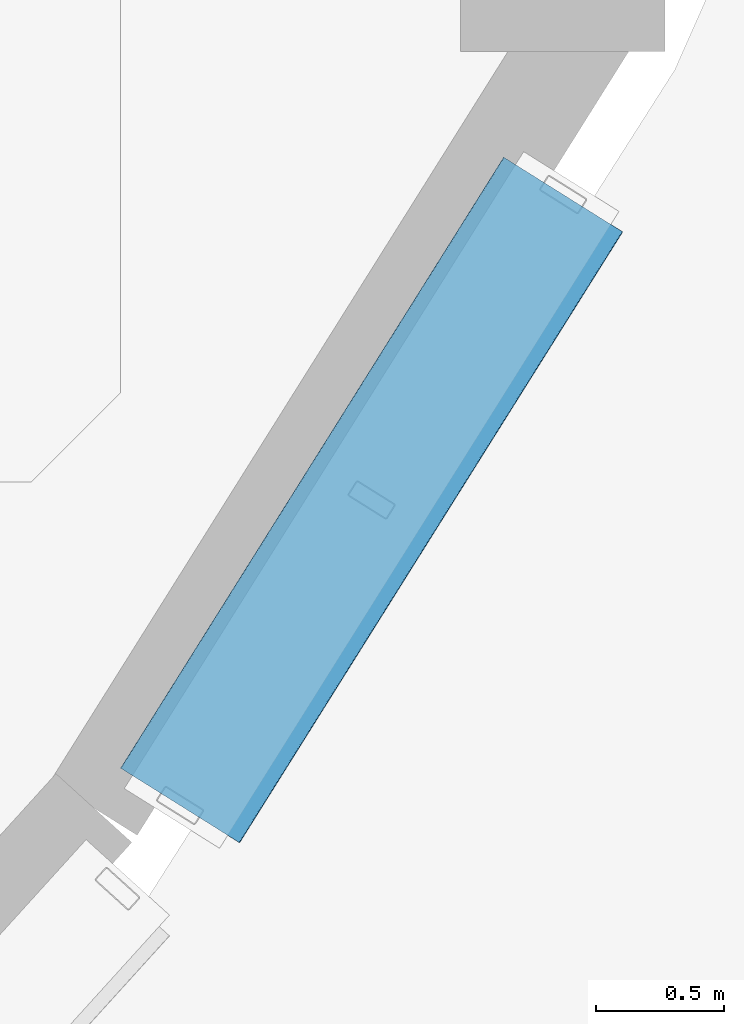
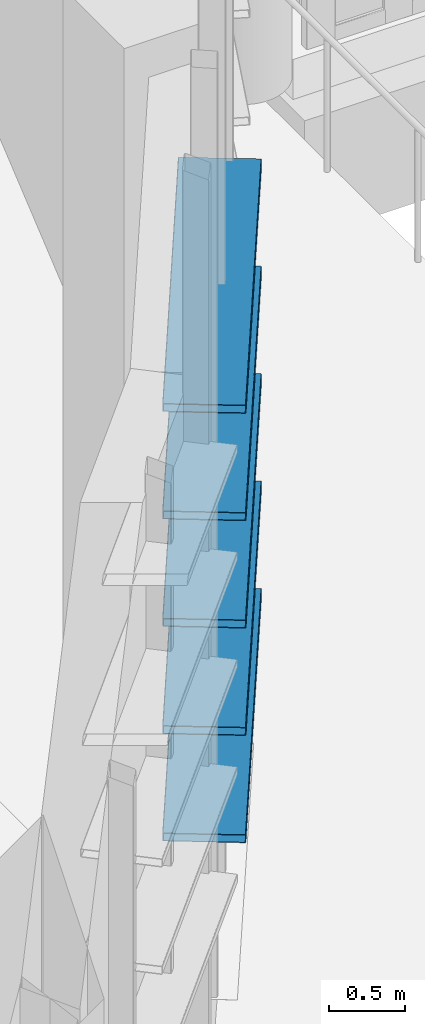
# One storey, part 61 of 372: 5 members.
"""IFC4 building model written with IfcOpenShell, lengths in metres."""

from ifc_helpers import new_model, si_unit, direction, frame, origin, origin_2d, place, context, subcontext, project, spatial, hollow_rectangle, extrude, material, material_profile, profile_set, type_object, element, save


model = new_model("IFC4")

# Units and contexts
model_context = context("Model", 3, precision=1e-05, world=origin(), true_north=direction((0.0, 1.0)))
body_context = subcontext(model_context, "Body", "Model", "MODEL_VIEW")
ifc_project = project(units=[si_unit("LENGTHUNIT", "METRE"), si_unit("AREAUNIT", "SQUARE_METRE"), si_unit("VOLUMEUNIT", "CUBIC_METRE"), si_unit("PLANEANGLEUNIT", "RADIAN"), si_unit("MASSUNIT", "GRAM", prefix="KILO")], contexts=[model_context])

# Site, building, storey
site_placement = place(None, origin())
site = spatial("IfcSite", under=ifc_project, at=site_placement, CompositionType="ELEMENT")
building_placement = place(site_placement, origin())
building = spatial("IfcBuilding", under=site, at=building_placement, Name="Kaelora Sail Theatre", CompositionType="ELEMENT")
storey_placement = place(building_placement, origin())
storey = spatial("IfcBuildingStorey", under=building, at=storey_placement, Name="L00", CompositionType="ELEMENT", Elevation=0.0)

# Members
ifc_material = material(Name="Anodised aluminium 6063-T6", Category="aluminium")
ifc_material_profile = material_profile(ifc_material, hollow_rectangle(XDim=0.550048828125, YDim=0.06494140625, WallThickness=0.00390625, InnerFilletRadius=0.00390625, OuterFilletRadius=0.008056640625, at=origin_2d()), Name="LOUVRE 550x65x4")
ifc_profile_set = profile_set([ifc_material_profile], Name="Anodised aluminium 6063-T6")
member_type = type_object("IfcMemberType", Name="ARC-MEM-LVR-300", PredefinedType="USERDEFINED", material=ifc_profile_set)
for number, where, z_axis, x_axis, name in (
    (1, (54.230712890625, 32.12451171875, 1.25), (-0.531266918629, -0.847204497846, 0.0), (0.847204497846, -0.531266918629, 0.0), "Main Theatre Sail Drum horizontal solar louvre C7-01"),
    (2, (54.230712890625, 32.12451171875, 2.110107421875), (-0.531266918629, -0.847204497846, 0.0), (0.847204497846, -0.531266918629, 0.0), "Main Theatre Sail Drum horizontal solar louvre C7-02"),
    (3, (54.230712890625, 32.12451171875, 2.969970703125), (-0.531266918629, -0.847204497846, 0.0), (0.847204497846, -0.531266918629, 0.0), "Main Theatre Sail Drum horizontal solar louvre C7-03"),
    (4, (54.230712890625, 32.12451171875, 3.830078125), (-0.531266918629, -0.847204497846, 0.0), (0.847204497846, -0.531266918629, 0.0), "Main Theatre Sail Drum horizontal solar louvre C7-04"),
    (5, (54.230712890625, 32.12451171875, 4.68994140625), (-0.531266918629, -0.847204497846, 0.0), (0.847204497846, -0.531266918629, 0.0), "Main Theatre Sail Drum horizontal solar louvre C7-05"),
):
    element("IfcMember", number, at=place(storey_placement, frame(where, z_axis=z_axis, x_axis=x_axis)), inside=storey, type_object=member_type, Name=name, ObjectType="LOUVRE", PredefinedType="USERDEFINED", context=body_context, shape_type="SweptSolid", body=[
        extrude(hollow_rectangle(XDim=0.550048828125, YDim=0.06494140625, WallThickness=0.00390625, InnerFilletRadius=0.00390625, OuterFilletRadius=0.008056640625, at=origin_2d()), origin(), (0.0, 0.0, 1.0), 2.81982421875),
    ])

save(model, "model.ifc")
